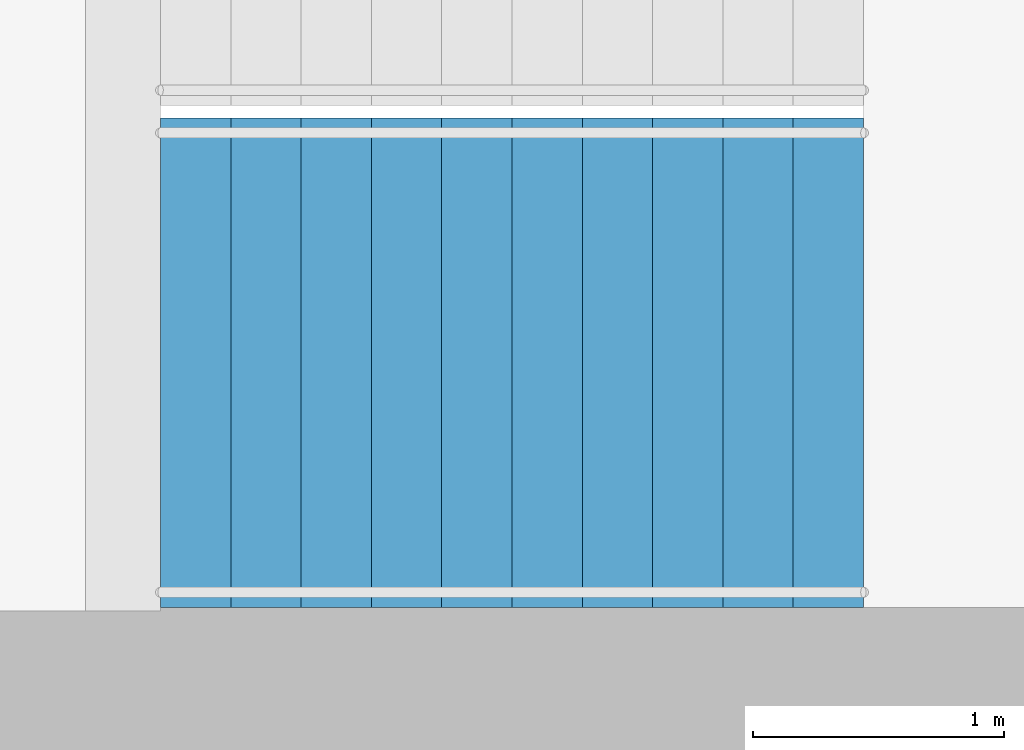
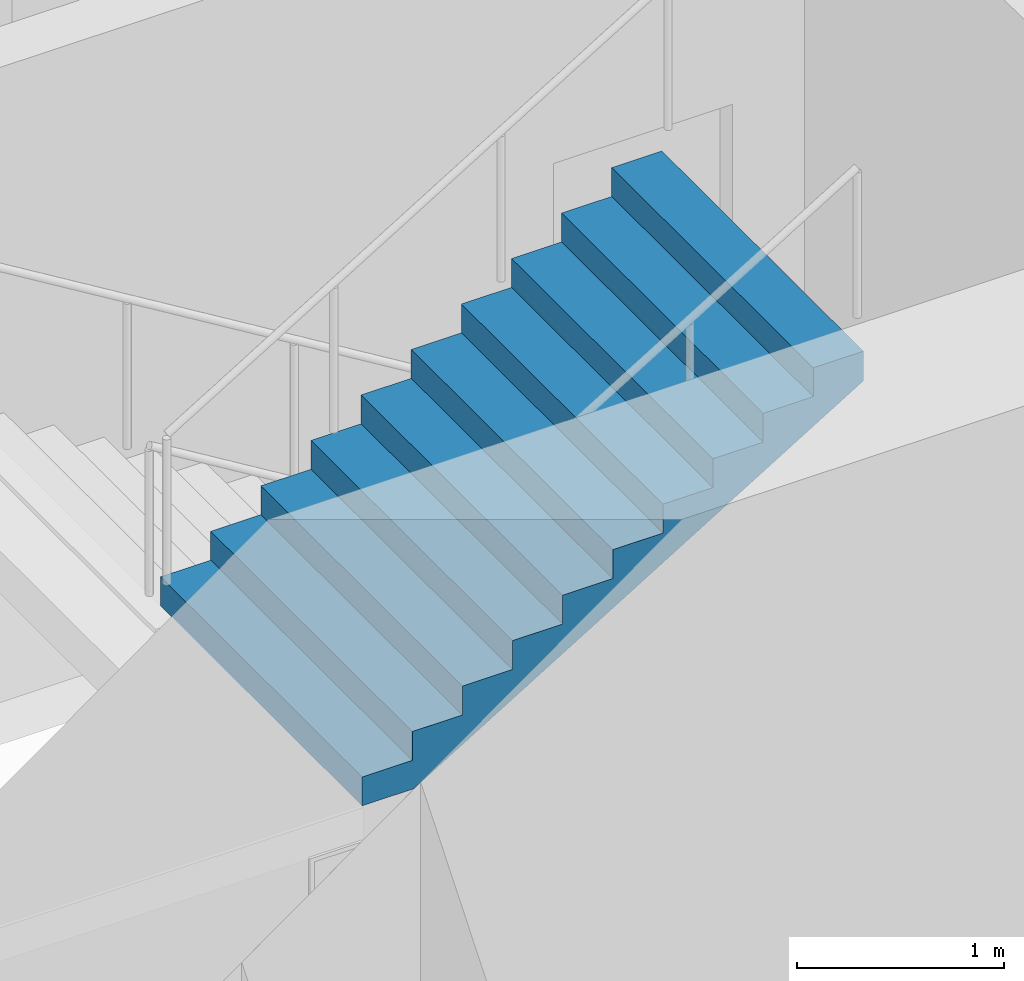
# One storey, part 21 of 23: 1 stair flight, 1 element without a shape of its own.
"""IFC4 building model written with IfcOpenShell, lengths in metres."""

from ifc_helpers import new_model, si_unit, direction, frame, origin, place, context, subcontext, project, spatial, triangles, material, type_object, element, aggregate, save


model = new_model("IFC4")

# Units and contexts
model_context = context("Model", 3, precision=1e-05, world=origin(), true_north=direction((0.0, 1.0)))
body_context = subcontext(model_context, "Body", "Model", "MODEL_VIEW")
ifc_project = project(units=[si_unit("LENGTHUNIT", "METRE"), si_unit("AREAUNIT", "SQUARE_METRE"), si_unit("VOLUMEUNIT", "CUBIC_METRE"), si_unit("PLANEANGLEUNIT", "RADIAN"), si_unit("MASSUNIT", "GRAM", prefix="KILO")], contexts=[model_context])

# Site, building, storey
site_placement = place(None, origin())
site = spatial("IfcSite", under=ifc_project, at=site_placement, CompositionType="ELEMENT")
building_placement = place(site_placement, origin())
building = spatial("IfcBuilding", under=site, at=building_placement, Name="Orbita Commons", CompositionType="ELEMENT")
storey_placement = place(building_placement, frame((0.0, 0.0, 61.449951171875)))
storey = spatial("IfcBuildingStorey", under=building, at=storey_placement, Name="L15", CompositionType="ELEMENT", Elevation=61.449951171875)

# Stair, stair flight
ifc_material_1 = material(Name="Precast concrete C40/50", Category="concrete")
stair_type = type_object("IfcStairType", Name="Exit stair S2 2 flights 11 risers 170", PredefinedType="HALF_TURN_STAIR", material=ifc_material_1)
stair_placement = place(storey_placement, origin())
stair = element("IfcStair", 1, at=stair_placement, inside=storey, type_object=stair_type, Name="Exit stair S2 L15", PredefinedType="HALF_TURN_STAIR")
ifc_material_2 = material(Name="Precast concrete C40/50", Category="concrete")
stair_flight_type = type_object("IfcStairFlightType", Name="Stair flight 11 risers 170 x 280", PredefinedType="STRAIGHT", material=ifc_material_2)
stair_flight_placement = place(storey_placement, frame((60.75, 27.27490234375, 1.875), z_axis=(0.0, 0.0, 1.0), x_axis=(1.0, 0.0, 0.0)))
stair_flight = element("IfcStairFlight", 2, at=stair_flight_placement, type_object=stair_flight_type, Name="S2 flight 2", NumberOfRisers=11, NumberOfTreads=10, PredefinedType="STRAIGHT", RiserHeight=0.170454545, TreadLength=0.28, context=body_context, shape_type="Tessellation", body=[
    triangles([(0.0, 0.974976, 0.0), (0.0, 0.974976, 0.021307), (0.0, 0.81248, 0.021307), (0.0, 0.81248, 0.0), (0.0, 0.649984, 0.021307), (0.0, 0.649984, 0.0), (0.0, 0.487488, 0.021307), (0.0, 0.487488, 0.0), (0.0, 0.324992, 0.021307), (0.0, 0.324992, 0.0), (0.0, 0.162496, 0.021307), (0.0, 0.162496, 0.0), (0.0, 0.0, 0.021307), (0.0, 0.0, 0.0), (0.0, -0.162496, 0.021307), (0.0, -0.162496, 0.0), (0.0, -0.324992, 0.021307), (0.0, -0.324992, 0.0), (0.0, -0.487488, 0.021307), (0.0, -0.487488, 0.0), (0.0, -0.649984, 0.021307), (0.0, -0.649984, 0.0), (0.0, -0.81248, 0.021307), (0.0, -0.81248, 0.0), (0.0, -0.974976, 0.021307), (0.0, -0.974976, 0.0), (0.0, 0.974976, 0.042614), (0.0, 0.81248, 0.042614), (0.0, 0.649984, 0.042614), (0.0, 0.487488, 0.042614), (0.0, 0.324992, 0.042614), (0.0, 0.162496, 0.042614), (0.0, 0.0, 0.042614), (0.0, -0.162496, 0.042614), (0.0, -0.324992, 0.042614), (0.0, -0.487488, 0.042614), (0.0, -0.649984, 0.042614), (0.0, -0.81248, 0.042614), (0.0, -0.974976, 0.042614), (0.0, 0.974976, 0.06392), (0.0, 0.81248, 0.06392), (0.0, 0.649984, 0.06392), (0.0, 0.487488, 0.06392), (0.0, 0.324992, 0.06392), (0.0, 0.162496, 0.06392), (0.0, 0.0, 0.06392), (0.0, -0.162496, 0.06392), (0.0, -0.324992, 0.06392), (0.0, -0.487488, 0.06392), (0.0, -0.649984, 0.06392), (0.0, -0.81248, 0.06392), (0.0, -0.974976, 0.06392), (0.0, 0.974976, 0.085227), (0.0, 0.81248, 0.085227), (0.0, 0.649984, 0.085227), (0.0, 0.487488, 0.085227), (0.0, 0.324992, 0.085227), (0.0, 0.162496, 0.085227), (0.0, 0.0, 0.085227), (0.0, -0.162496, 0.085227), (0.0, -0.324992, 0.085227), (0.0, -0.487488, 0.085227), (0.0, -0.649984, 0.085227), (0.0, -0.81248, 0.085227), (0.0, -0.974976, 0.085227), (0.0, 0.974976, 0.106534), (0.0, 0.81248, 0.106534), (0.0, 0.649984, 0.106534), (0.0, 0.487488, 0.106534), (0.0, 0.324992, 0.106534), (0.0, 0.162496, 0.106534), (0.0, 0.0, 0.106534), (0.0, -0.162496, 0.106534), (0.0, -0.324992, 0.106534), (0.0, -0.487488, 0.106534), (0.0, -0.649984, 0.106534), (0.0, -0.81248, 0.106534), (0.0, -0.974976, 0.106534), (0.0, 0.974976, 0.127841), (0.0, 0.81248, 0.127841), (0.0, 0.649984, 0.127841), (0.0, 0.487488, 0.127841), (0.0, 0.324992, 0.127841), (0.0, 0.162496, 0.127841), (0.0, 0.0, 0.127841), (0.0, -0.162496, 0.127841), (0.0, -0.324992, 0.127841), (0.0, -0.487488, 0.127841), (0.0, -0.649984, 0.127841), (0.0, -0.81248, 0.127841), (0.0, -0.974976, 0.127841), (0.0, 0.974976, 0.149148), (0.0, 0.81248, 0.149148), (0.0, 0.649984, 0.149148), (0.0, 0.487488, 0.149148), (0.0, 0.324992, 0.149148), (0.0, 0.162496, 0.149148), (0.0, 0.0, 0.149148), (0.0, -0.162496, 0.149148), (0.0, -0.324992, 0.149148), (0.0, -0.487488, 0.149148), (0.0, -0.649984, 0.149148), (0.0, -0.81248, 0.149148), (0.0, -0.974976, 0.149148), (0.0, 0.974976, 0.170455), (0.0, 0.81248, 0.170455), (0.0, 0.649984, 0.170455), (0.0, 0.487488, 0.170455), (0.0, 0.324992, 0.170455), (0.0, 0.162496, 0.170455), (0.0, 0.0, 0.170455), (0.0, -0.162496, 0.170455), (0.0, -0.324992, 0.170455), (0.0, -0.487488, 0.170455), (0.0, -0.649984, 0.170455), (0.0, -0.81248, 0.170455), (0.0, -0.974976, 0.170455), (0.28, 0.974976, 0.170455), (0.28, 0.81248, 0.170455), (0.28, 0.649984, 0.170455), (0.28, 0.487488, 0.170455), (0.28, 0.324992, 0.170455), (0.28, 0.162496, 0.170455), (0.28, 0.0, 0.170455), (0.28, -0.162496, 0.170455), (0.28, -0.324992, 0.170455), (0.28, -0.487488, 0.170455), (0.28, -0.649984, 0.170455), (0.28, -0.81248, 0.170455), (0.28, -0.974976, 0.170455), (0.28, 0.974976, 0.340909), (0.28, 0.81248, 0.340909), (0.28, 0.649984, 0.340909), (0.28, 0.487488, 0.340909), (0.28, 0.324992, 0.340909), (0.28, 0.162496, 0.340909), (0.28, 0.0, 0.340909), (0.28, -0.162496, 0.340909), (0.28, -0.324992, 0.340909), (0.28, -0.487488, 0.340909), (0.28, -0.649984, 0.340909), (0.28, -0.81248, 0.340909), (0.28, -0.974976, 0.340909), (0.56, 0.974976, 0.340909), (0.56, 0.81248, 0.340909), (0.56, 0.649984, 0.340909), (0.56, 0.487488, 0.340909), (0.56, 0.324992, 0.340909), (0.56, 0.162496, 0.340909), (0.56, 0.0, 0.340909), (0.56, -0.162496, 0.340909), (0.56, -0.324992, 0.340909), (0.56, -0.487488, 0.340909), (0.56, -0.649984, 0.340909), (0.56, -0.81248, 0.340909), (0.56, -0.974976, 0.340909), (0.56, 0.974976, 0.511364), (0.56, 0.81248, 0.511364), (0.56, 0.649984, 0.511364), (0.56, 0.487488, 0.511364), (0.56, 0.324992, 0.511364), (0.56, 0.162496, 0.511364), (0.56, 0.0, 0.511364), (0.56, -0.162496, 0.511364), (0.56, -0.324992, 0.511364), (0.56, -0.487488, 0.511364), (0.56, -0.649984, 0.511364), (0.56, -0.81248, 0.511364), (0.56, -0.974976, 0.511364), (0.84, 0.974976, 0.511364), (0.84, 0.81248, 0.511364), (0.84, 0.649984, 0.511364), (0.84, 0.487488, 0.511364), (0.84, 0.324992, 0.511364), (0.84, 0.162496, 0.511364), (0.84, 0.0, 0.511364), (0.84, -0.162496, 0.511364), (0.84, -0.324992, 0.511364), (0.84, -0.487488, 0.511364), (0.84, -0.649984, 0.511364), (0.84, -0.81248, 0.511364), (0.84, -0.974976, 0.511364), (0.84, 0.974976, 0.681818), (0.84, 0.81248, 0.681818), (0.84, 0.649984, 0.681818), (0.84, 0.487488, 0.681818), (0.84, 0.324992, 0.681818), (0.84, 0.162496, 0.681818), (0.84, 0.0, 0.681818), (0.84, -0.162496, 0.681818), (0.84, -0.324992, 0.681818), (0.84, -0.487488, 0.681818), (0.84, -0.649984, 0.681818), (0.84, -0.81248, 0.681818), (0.84, -0.974976, 0.681818), (1.12, 0.974976, 0.681818), (1.12, 0.81248, 0.681818), (1.12, 0.649984, 0.681818), (1.12, 0.487488, 0.681818), (1.12, 0.324992, 0.681818), (1.12, 0.162496, 0.681818), (1.12, 0.0, 0.681818), (1.12, -0.162496, 0.681818), (1.12, -0.324992, 0.681818), (1.12, -0.487488, 0.681818), (1.12, -0.649984, 0.681818), (1.12, -0.81248, 0.681818), (1.12, -0.974976, 0.681818), (1.12, 0.974976, 0.852273), (1.12, 0.81248, 0.852273), (1.12, 0.649984, 0.852273), (1.12, 0.487488, 0.852273), (1.12, 0.324992, 0.852273), (1.12, 0.162496, 0.852273), (1.12, 0.0, 0.852273), (1.12, -0.162496, 0.852273), (1.12, -0.324992, 0.852273), (1.12, -0.487488, 0.852273), (1.12, -0.649984, 0.852273), (1.12, -0.81248, 0.852273), (1.12, -0.974976, 0.852273), (1.4, 0.974976, 0.852273), (1.4, 0.81248, 0.852273), (1.4, 0.649984, 0.852273), (1.4, 0.487488, 0.852273), (1.4, 0.324992, 0.852273), (1.4, 0.162496, 0.852273), (1.4, 0.0, 0.852273), (1.4, -0.162496, 0.852273), (1.4, -0.324992, 0.852273), (1.4, -0.487488, 0.852273), (1.4, -0.649984, 0.852273), (1.4, -0.81248, 0.852273), (1.4, -0.974976, 0.852273), (1.4, 0.974976, 1.022727), (1.4, 0.81248, 1.022727), (1.4, 0.649984, 1.022727), (1.4, 0.487488, 1.022727), (1.4, 0.324992, 1.022727), (1.4, 0.162496, 1.022727), (1.4, 0.0, 1.022727), (1.4, -0.162496, 1.022727), (1.4, -0.324992, 1.022727), (1.4, -0.487488, 1.022727), (1.4, -0.649984, 1.022727), (1.4, -0.81248, 1.022727), (1.4, -0.974976, 1.022727), (1.68, 0.974976, 1.022727), (1.68, 0.81248, 1.022727), (1.68, 0.649984, 1.022727), (1.68, 0.487488, 1.022727), (1.68, 0.324992, 1.022727), (1.68, 0.162496, 1.022727), (1.68, 0.0, 1.022727), (1.68, -0.162496, 1.022727), (1.68, -0.324992, 1.022727), (1.68, -0.487488, 1.022727), (1.68, -0.649984, 1.022727), (1.68, -0.81248, 1.022727), (1.68, -0.974976, 1.022727), (1.68, 0.974976, 1.193182), (1.68, 0.81248, 1.193182), (1.68, 0.649984, 1.193182), (1.68, 0.487488, 1.193182), (1.68, 0.324992, 1.193182), (1.68, 0.162496, 1.193182), (1.68, 0.0, 1.193182), (1.68, -0.162496, 1.193182), (1.68, -0.324992, 1.193182), (1.68, -0.487488, 1.193182), (1.68, -0.649984, 1.193182), (1.68, -0.81248, 1.193182), (1.68, -0.974976, 1.193182), (1.96, 0.974976, 1.193182), (1.96, 0.81248, 1.193182), (1.96, 0.649984, 1.193182), (1.96, 0.487488, 1.193182), (1.96, 0.324992, 1.193182), (1.96, 0.162496, 1.193182), (1.96, 0.0, 1.193182), (1.96, -0.162496, 1.193182), (1.96, -0.324992, 1.193182), (1.96, -0.487488, 1.193182), (1.96, -0.649984, 1.193182), (1.96, -0.81248, 1.193182), (1.96, -0.974976, 1.193182), (1.96, 0.974976, 1.363636), (1.96, 0.81248, 1.363636), (1.96, 0.649984, 1.363636), (1.96, 0.487488, 1.363636), (1.96, 0.324992, 1.363636), (1.96, 0.162496, 1.363636), (1.96, 0.0, 1.363636), (1.96, -0.162496, 1.363636), (1.96, -0.324992, 1.363636), (1.96, -0.487488, 1.363636), (1.96, -0.649984, 1.363636), (1.96, -0.81248, 1.363636), (1.96, -0.974976, 1.363636), (2.24, 0.974976, 1.363636), (2.24, 0.81248, 1.363636), (2.24, 0.649984, 1.363636), (2.24, 0.487488, 1.363636), (2.24, 0.324992, 1.363636), (2.24, 0.162496, 1.363636), (2.24, 0.0, 1.363636), (2.24, -0.162496, 1.363636), (2.24, -0.324992, 1.363636), (2.24, -0.487488, 1.363636), (2.24, -0.649984, 1.363636), (2.24, -0.81248, 1.363636), (2.24, -0.974976, 1.363636), (2.24, 0.974976, 1.534091), (2.24, 0.81248, 1.534091), (2.24, 0.649984, 1.534091), (2.24, 0.487488, 1.534091), (2.24, 0.324992, 1.534091), (2.24, 0.162496, 1.534091), (2.24, 0.0, 1.534091), (2.24, -0.162496, 1.534091), (2.24, -0.324992, 1.534091), (2.24, -0.487488, 1.534091), (2.24, -0.649984, 1.534091), (2.24, -0.81248, 1.534091), (2.24, -0.974976, 1.534091), (2.52, 0.974976, 1.534091), (2.52, 0.81248, 1.534091), (2.52, 0.649984, 1.534091), (2.52, 0.487488, 1.534091), (2.52, 0.324992, 1.534091), (2.52, 0.162496, 1.534091), (2.52, 0.0, 1.534091), (2.52, -0.162496, 1.534091), (2.52, -0.324992, 1.534091), (2.52, -0.487488, 1.534091), (2.52, -0.649984, 1.534091), (2.52, -0.81248, 1.534091), (2.52, -0.974976, 1.534091), (2.52, 0.974976, 1.704545), (2.52, 0.81248, 1.704545), (2.52, 0.649984, 1.704545), (2.52, 0.487488, 1.704545), (2.52, 0.324992, 1.704545), (2.52, 0.162496, 1.704545), (2.52, 0.0, 1.704545), (2.52, -0.162496, 1.704545), (2.52, -0.324992, 1.704545), (2.52, -0.487488, 1.704545), (2.52, -0.649984, 1.704545), (2.52, -0.81248, 1.704545), (2.52, -0.974976, 1.704545), (2.8, 0.974976, 1.704545), (2.8, 0.81248, 1.704545), (2.8, 0.649984, 1.704545), (2.8, 0.487488, 1.704545), (2.8, 0.324992, 1.704545), (2.8, 0.162496, 1.704545), (2.8, 0.0, 1.704545), (2.8, -0.162496, 1.704545), (2.8, -0.324992, 1.704545), (2.8, -0.487488, 1.704545), (2.8, -0.649984, 1.704545), (2.8, -0.81248, 1.704545), (2.8, -0.974976, 1.704545), (2.8, 0.974976, 1.682609), (2.8, 0.81248, 1.682609), (2.8, 0.649984, 1.682609), (2.8, 0.487488, 1.682609), (2.8, 0.324992, 1.682609), (2.8, 0.162496, 1.682609), (2.8, 0.0, 1.682609), (2.8, -0.162496, 1.682609), (2.8, -0.324992, 1.682609), (2.8, -0.487488, 1.682609), (2.8, -0.649984, 1.682609), (2.8, -0.81248, 1.682609), (2.8, -0.974976, 1.682609), (2.8, 0.974976, 1.660672), (2.8, 0.81248, 1.660672), (2.8, 0.649984, 1.660672), (2.8, 0.487488, 1.660672), (2.8, 0.324992, 1.660672), (2.8, 0.162496, 1.660672), (2.8, 0.0, 1.660672), (2.8, -0.162496, 1.660672), (2.8, -0.324992, 1.660672), (2.8, -0.487488, 1.660672), (2.8, -0.649984, 1.660672), (2.8, -0.81248, 1.660672), (2.8, -0.974976, 1.660672), (2.8, 0.974976, 1.638735), (2.8, 0.81248, 1.638735), (2.8, 0.649984, 1.638735), (2.8, 0.487488, 1.638735), (2.8, 0.324992, 1.638735), (2.8, 0.162496, 1.638735), (2.8, 0.0, 1.638735), (2.8, -0.162496, 1.638735), (2.8, -0.324992, 1.638735), (2.8, -0.487488, 1.638735), (2.8, -0.649984, 1.638735), (2.8, -0.81248, 1.638735), (2.8, -0.974976, 1.638735), (2.8, 0.974976, 1.616798), (2.8, 0.81248, 1.616798), (2.8, 0.649984, 1.616798), (2.8, 0.487488, 1.616798), (2.8, 0.324992, 1.616798), (2.8, 0.162496, 1.616798), (2.8, 0.0, 1.616798), (2.8, -0.162496, 1.616798), (2.8, -0.324992, 1.616798), (2.8, -0.487488, 1.616798), (2.8, -0.649984, 1.616798), (2.8, -0.81248, 1.616798), (2.8, -0.974976, 1.616798), (2.8, 0.974976, 1.594861), (2.8, 0.81248, 1.594861), (2.8, 0.649984, 1.594861), (2.8, 0.487488, 1.594861), (2.8, 0.324992, 1.594861), (2.8, 0.162496, 1.594861), (2.8, 0.0, 1.594861), (2.8, -0.162496, 1.594861), (2.8, -0.324992, 1.594861), (2.8, -0.487488, 1.594861), (2.8, -0.649984, 1.594861), (2.8, -0.81248, 1.594861), (2.8, -0.974976, 1.594861), (2.8, 0.974976, 1.572925), (2.8, 0.81248, 1.572925), (2.8, 0.649984, 1.572925), (2.8, 0.487488, 1.572925), (2.8, 0.324992, 1.572925), (2.8, 0.162496, 1.572925), (2.8, 0.0, 1.572925), (2.8, -0.162496, 1.572925), (2.8, -0.324992, 1.572925), (2.8, -0.487488, 1.572925), (2.8, -0.649984, 1.572925), (2.8, -0.81248, 1.572925), (2.8, -0.974976, 1.572925), (2.8, 0.974976, 1.550988), (2.8, 0.81248, 1.550988), (2.8, 0.649984, 1.550988), (2.8, 0.487488, 1.550988), (2.8, 0.324992, 1.550988), (2.8, 0.162496, 1.550988), (2.8, 0.0, 1.550988), (2.8, -0.162496, 1.550988), (2.8, -0.324992, 1.550988), (2.8, -0.487488, 1.550988), (2.8, -0.649984, 1.550988), (2.8, -0.81248, 1.550988), (2.8, -0.974976, 1.550988), (2.8, 0.974976, 1.529051), (2.8, 0.81248, 1.529051), (2.8, 0.649984, 1.529051), (2.8, 0.487488, 1.529051), (2.8, 0.324992, 1.529051), (2.8, 0.162496, 1.529051), (2.8, 0.0, 1.529051), (2.8, -0.162496, 1.529051), (2.8, -0.324992, 1.529051), (2.8, -0.487488, 1.529051), (2.8, -0.649984, 1.529051), (2.8, -0.81248, 1.529051), (2.8, -0.974976, 1.529051), (0.288279, 0.974976, 0.0), (0.288279, 0.81248, 0.0), (0.288279, 0.649984, 0.0), (0.288279, 0.487488, 0.0), (0.288279, 0.324992, 0.0), (0.288279, 0.162496, 0.0), (0.288279, 0.0, 0.0), (0.288279, -0.162496, 0.0), (0.288279, -0.324992, 0.0), (0.288279, -0.487488, 0.0), (0.288279, -0.649984, 0.0), (0.288279, -0.81248, 0.0), (0.288279, -0.974976, 0.0)], [[3, 2, 1], [4, 3, 1], [5, 3, 4], [6, 5, 4], [7, 5, 6], [8, 7, 6], [9, 7, 8], [10, 9, 8], [11, 9, 10], [12, 11, 10], [13, 11, 12], [14, 13, 12], [15, 13, 14], [16, 15, 14], [17, 15, 16], [18, 17, 16], [19, 17, 18], [20, 19, 18], [21, 19, 20], [22, 21, 20], [23, 21, 22], [24, 23, 22], [25, 23, 24], [26, 25, 24], [28, 27, 2], [3, 28, 2], [29, 28, 3], [5, 29, 3], [30, 29, 5], [7, 30, 5], [31, 30, 7], [9, 31, 7], [32, 31, 9], [11, 32, 9], [33, 32, 11], [13, 33, 11], [34, 33, 13], [15, 34, 13], [35, 34, 15], [17, 35, 15], [36, 35, 17], [19, 36, 17], [37, 36, 19], [21, 37, 19], [38, 37, 21], [23, 38, 21], [39, 38, 23], [25, 39, 23], [41, 40, 27], [28, 41, 27], [42, 41, 28], [29, 42, 28], [43, 42, 29], [30, 43, 29], [44, 43, 30], [31, 44, 30], [45, 44, 31], [32, 45, 31], [46, 45, 32], [33, 46, 32], [47, 46, 33], [34, 47, 33], [48, 47, 34], [35, 48, 34], [49, 48, 35], [36, 49, 35], [50, 49, 36], [37, 50, 36], [51, 50, 37], [38, 51, 37], [52, 51, 38], [39, 52, 38], [54, 53, 40], [41, 54, 40], [55, 54, 41], [42, 55, 41], [56, 55, 42], [43, 56, 42], [57, 56, 43], [44, 57, 43], [58, 57, 44], [45, 58, 44], [59, 58, 45], [46, 59, 45], [60, 59, 46], [47, 60, 46], [61, 60, 47], [48, 61, 47], [62, 61, 48], [49, 62, 48], [63, 62, 49], [50, 63, 49], [64, 63, 50], [51, 64, 50], [65, 64, 51], [52, 65, 51], [67, 66, 53], [54, 67, 53], [68, 67, 54], [55, 68, 54], [69, 68, 55], [56, 69, 55], [70, 69, 56], [57, 70, 56], [71, 70, 57], [58, 71, 57], [72, 71, 58], [59, 72, 58], [73, 72, 59], [60, 73, 59], [74, 73, 60], [61, 74, 60], [75, 74, 61], [62, 75, 61], [76, 75, 62], [63, 76, 62], [77, 76, 63], [64, 77, 63], [78, 77, 64], [65, 78, 64], [80, 79, 66], [67, 80, 66], [81, 80, 67], [68, 81, 67], [82, 81, 68], [69, 82, 68], [83, 82, 69], [70, 83, 69], [84, 83, 70], [71, 84, 70], [85, 84, 71], [72, 85, 71], [86, 85, 72], [73, 86, 72], [87, 86, 73], [74, 87, 73], [88, 87, 74], [75, 88, 74], [89, 88, 75], [76, 89, 75], [90, 89, 76], [77, 90, 76], [91, 90, 77], [78, 91, 77], [93, 92, 79], [80, 93, 79], [94, 93, 80], [81, 94, 80], [95, 94, 81], [82, 95, 81], [96, 95, 82], [83, 96, 82], [97, 96, 83], [84, 97, 83], [98, 97, 84], [85, 98, 84], [99, 98, 85], [86, 99, 85], [100, 99, 86], [87, 100, 86], [101, 100, 87], [88, 101, 87], [102, 101, 88], [89, 102, 88], [103, 102, 89], [90, 103, 89], [104, 103, 90], [91, 104, 90], [106, 105, 92], [93, 106, 92], [107, 106, 93], [94, 107, 93], [108, 107, 94], [95, 108, 94], [109, 108, 95], [96, 109, 95], [110, 109, 96], [97, 110, 96], [111, 110, 97], [98, 111, 97], [112, 111, 98], [99, 112, 98], [113, 112, 99], [100, 113, 99], [114, 113, 100], [101, 114, 100], [115, 114, 101], [102, 115, 101], [116, 115, 102], [103, 116, 102], [117, 116, 103], [104, 117, 103], [119, 118, 105], [106, 119, 105], [120, 119, 106], [107, 120, 106], [121, 120, 107], [108, 121, 107], [122, 121, 108], [109, 122, 108], [123, 122, 109], [110, 123, 109], [124, 123, 110], [111, 124, 110], [125, 124, 111], [112, 125, 111], [126, 125, 112], [113, 126, 112], [127, 126, 113], [114, 127, 113], [128, 127, 114], [115, 128, 114], [129, 128, 115], [116, 129, 115], [130, 129, 116], [117, 130, 116], [132, 131, 118], [119, 132, 118], [133, 132, 119], [120, 133, 119], [134, 133, 120], [121, 134, 120], [135, 134, 121], [122, 135, 121], [136, 135, 122], [123, 136, 122], [137, 136, 123], [124, 137, 123], [138, 137, 124], [125, 138, 124], [139, 138, 125], [126, 139, 125], [140, 139, 126], [127, 140, 126], [141, 140, 127], [128, 141, 127], [142, 141, 128], [129, 142, 128], [143, 142, 129], [130, 143, 129], [145, 144, 131], [132, 145, 131], [146, 145, 132], [133, 146, 132], [147, 146, 133], [134, 147, 133], [148, 147, 134], [135, 148, 134], [149, 148, 135], [136, 149, 135], [150, 149, 136], [137, 150, 136], [151, 150, 137], [138, 151, 137], [152, 151, 138], [139, 152, 138], [153, 152, 139], [140, 153, 139], [154, 153, 140], [141, 154, 140], [155, 154, 141], [142, 155, 141], [156, 155, 142], [143, 156, 142], [158, 157, 144], [145, 158, 144], [159, 158, 145], [146, 159, 145], [160, 159, 146], [147, 160, 146], [161, 160, 147], [148, 161, 147], [162, 161, 148], [149, 162, 148], [163, 162, 149], [150, 163, 149], [164, 163, 150], [151, 164, 150], [165, 164, 151], [152, 165, 151], [166, 165, 152], [153, 166, 152], [167, 166, 153], [154, 167, 153], [168, 167, 154], [155, 168, 154], [169, 168, 155], [156, 169, 155], [171, 170, 157], [158, 171, 157], [172, 171, 158], [159, 172, 158], [173, 172, 159], [160, 173, 159], [174, 173, 160], [161, 174, 160], [175, 174, 161], [162, 175, 161], [176, 175, 162], [163, 176, 162], [177, 176, 163], [164, 177, 163], [178, 177, 164], [165, 178, 164], [179, 178, 165], [166, 179, 165], [180, 179, 166], [167, 180, 166], [181, 180, 167], [168, 181, 167], [182, 181, 168], [169, 182, 168], [184, 183, 170], [171, 184, 170], [185, 184, 171], [172, 185, 171], [186, 185, 172], [173, 186, 172], [187, 186, 173], [174, 187, 173], [188, 187, 174], [175, 188, 174], [189, 188, 175], [176, 189, 175], [190, 189, 176], [177, 190, 176], [191, 190, 177], [178, 191, 177], [192, 191, 178], [179, 192, 178], [193, 192, 179], [180, 193, 179], [194, 193, 180], [181, 194, 180], [195, 194, 181], [182, 195, 181], [197, 196, 183], [184, 197, 183], [198, 197, 184], [185, 198, 184], [199, 198, 185], [186, 199, 185], [200, 199, 186], [187, 200, 186], [201, 200, 187], [188, 201, 187], [202, 201, 188], [189, 202, 188], [203, 202, 189], [190, 203, 189], [204, 203, 190], [191, 204, 190], [205, 204, 191], [192, 205, 191], [206, 205, 192], [193, 206, 192], [207, 206, 193], [194, 207, 193], [208, 207, 194], [195, 208, 194], [210, 209, 196], [197, 210, 196], [211, 210, 197], [198, 211, 197], [212, 211, 198], [199, 212, 198], [213, 212, 199], [200, 213, 199], [214, 213, 200], [201, 214, 200], [215, 214, 201], [202, 215, 201], [216, 215, 202], [203, 216, 202], [217, 216, 203], [204, 217, 203], [218, 217, 204], [205, 218, 204], [219, 218, 205], [206, 219, 205], [220, 219, 206], [207, 220, 206], [221, 220, 207], [208, 221, 207], [223, 222, 209], [210, 223, 209], [224, 223, 210], [211, 224, 210], [225, 224, 211], [212, 225, 211], [226, 225, 212], [213, 226, 212], [227, 226, 213], [214, 227, 213], [228, 227, 214], [215, 228, 214], [229, 228, 215], [216, 229, 215], [230, 229, 216], [217, 230, 216], [231, 230, 217], [218, 231, 217], [232, 231, 218], [219, 232, 218], [233, 232, 219], [220, 233, 219], [234, 233, 220], [221, 234, 220], [236, 235, 222], [223, 236, 222], [237, 236, 223], [224, 237, 223], [238, 237, 224], [225, 238, 224], [239, 238, 225], [226, 239, 225], [240, 239, 226], [227, 240, 226], [241, 240, 227], [228, 241, 227], [242, 241, 228], [229, 242, 228], [243, 242, 229], [230, 243, 229], [244, 243, 230], [231, 244, 230], [245, 244, 231], [232, 245, 231], [246, 245, 232], [233, 246, 232], [247, 246, 233], [234, 247, 233], [249, 248, 235], [236, 249, 235], [250, 249, 236], [237, 250, 236], [251, 250, 237], [238, 251, 237], [252, 251, 238], [239, 252, 238], [253, 252, 239], [240, 253, 239], [254, 253, 240], [241, 254, 240], [255, 254, 241], [242, 255, 241], [256, 255, 242], [243, 256, 242], [257, 256, 243], [244, 257, 243], [258, 257, 244], [245, 258, 244], [259, 258, 245], [246, 259, 245], [260, 259, 246], [247, 260, 246], [262, 261, 248], [249, 262, 248], [263, 262, 249], [250, 263, 249], [264, 263, 250], [251, 264, 250], [265, 264, 251], [252, 265, 251], [266, 265, 252], [253, 266, 252], [267, 266, 253], [254, 267, 253], [268, 267, 254], [255, 268, 254], [269, 268, 255], [256, 269, 255], [270, 269, 256], [257, 270, 256], [271, 270, 257], [258, 271, 257], [272, 271, 258], [259, 272, 258], [273, 272, 259], [260, 273, 259], [275, 274, 261], [262, 275, 261], [276, 275, 262], [263, 276, 262], [277, 276, 263], [264, 277, 263], [278, 277, 264], [265, 278, 264], [279, 278, 265], [266, 279, 265], [280, 279, 266], [267, 280, 266], [281, 280, 267], [268, 281, 267], [282, 281, 268], [269, 282, 268], [283, 282, 269], [270, 283, 269], [284, 283, 270], [271, 284, 270], [285, 284, 271], [272, 285, 271], [286, 285, 272], [273, 286, 272], [288, 287, 274], [275, 288, 274], [289, 288, 275], [276, 289, 275], [290, 289, 276], [277, 290, 276], [291, 290, 277], [278, 291, 277], [292, 291, 278], [279, 292, 278], [293, 292, 279], [280, 293, 279], [294, 293, 280], [281, 294, 280], [295, 294, 281], [282, 295, 281], [296, 295, 282], [283, 296, 282], [297, 296, 283], [284, 297, 283], [298, 297, 284], [285, 298, 284], [299, 298, 285], [286, 299, 285], [301, 300, 287], [288, 301, 287], [302, 301, 288], [289, 302, 288], [303, 302, 289], [290, 303, 289], [304, 303, 290], [291, 304, 290], [305, 304, 291], [292, 305, 291], [306, 305, 292], [293, 306, 292], [307, 306, 293], [294, 307, 293], [308, 307, 294], [295, 308, 294], [309, 308, 295], [296, 309, 295], [310, 309, 296], [297, 310, 296], [311, 310, 297], [298, 311, 297], [312, 311, 298], [299, 312, 298], [314, 313, 300], [301, 314, 300], [315, 314, 301], [302, 315, 301], [316, 315, 302], [303, 316, 302], [317, 316, 303], [304, 317, 303], [318, 317, 304], [305, 318, 304], [319, 318, 305], [306, 319, 305], [320, 319, 306], [307, 320, 306], [321, 320, 307], [308, 321, 307], [322, 321, 308], [309, 322, 308], [323, 322, 309], [310, 323, 309], [324, 323, 310], [311, 324, 310], [325, 324, 311], [312, 325, 311], [327, 326, 313], [314, 327, 313], [328, 327, 314], [315, 328, 314], [329, 328, 315], [316, 329, 315], [330, 329, 316], [317, 330, 316], [331, 330, 317], [318, 331, 317], [332, 331, 318], [319, 332, 318], [333, 332, 319], [320, 333, 319], [334, 333, 320], [321, 334, 320], [335, 334, 321], [322, 335, 321], [336, 335, 322], [323, 336, 322], [337, 336, 323], [324, 337, 323], [338, 337, 324], [325, 338, 324], [340, 339, 326], [327, 340, 326], [341, 340, 327], [328, 341, 327], [342, 341, 328], [329, 342, 328], [343, 342, 329], [330, 343, 329], [344, 343, 330], [331, 344, 330], [345, 344, 331], [332, 345, 331], [346, 345, 332], [333, 346, 332], [347, 346, 333], [334, 347, 333], [348, 347, 334], [335, 348, 334], [349, 348, 335], [336, 349, 335], [350, 349, 336], [337, 350, 336], [351, 350, 337], [338, 351, 337], [353, 352, 339], [340, 353, 339], [354, 353, 340], [341, 354, 340], [355, 354, 341], [342, 355, 341], [356, 355, 342], [343, 356, 342], [357, 356, 343], [344, 357, 343], [358, 357, 344], [345, 358, 344], [359, 358, 345], [346, 359, 345], [360, 359, 346], [347, 360, 346], [361, 360, 347], [348, 361, 347], [362, 361, 348], [349, 362, 348], [363, 362, 349], [350, 363, 349], [364, 363, 350], [351, 364, 350], [366, 365, 352], [353, 366, 352], [367, 366, 353], [354, 367, 353], [368, 367, 354], [355, 368, 354], [369, 368, 355], [356, 369, 355], [370, 369, 356], [357, 370, 356], [371, 370, 357], [358, 371, 357], [372, 371, 358], [359, 372, 358], [373, 372, 359], [360, 373, 359], [374, 373, 360], [361, 374, 360], [375, 374, 361], [362, 375, 361], [376, 375, 362], [363, 376, 362], [377, 376, 363], [364, 377, 363], [379, 378, 365], [366, 379, 365], [380, 379, 366], [367, 380, 366], [381, 380, 367], [368, 381, 367], [382, 381, 368], [369, 382, 368], [383, 382, 369], [370, 383, 369], [384, 383, 370], [371, 384, 370], [385, 384, 371], [372, 385, 371], [386, 385, 372], [373, 386, 372], [387, 386, 373], [374, 387, 373], [388, 387, 374], [375, 388, 374], [389, 388, 375], [376, 389, 375], [390, 389, 376], [377, 390, 376], [392, 391, 378], [379, 392, 378], [393, 392, 379], [380, 393, 379], [394, 393, 380], [381, 394, 380], [395, 394, 381], [382, 395, 381], [396, 395, 382], [383, 396, 382], [397, 396, 383], [384, 397, 383], [398, 397, 384], [385, 398, 384], [399, 398, 385], [386, 399, 385], [400, 399, 386], [387, 400, 386], [401, 400, 387], [388, 401, 387], [402, 401, 388], [389, 402, 388], [403, 402, 389], [390, 403, 389], [405, 404, 391], [392, 405, 391], [406, 405, 392], [393, 406, 392], [407, 406, 393], [394, 407, 393], [408, 407, 394], [395, 408, 394], [409, 408, 395], [396, 409, 395], [410, 409, 396], [397, 410, 396], [411, 410, 397], [398, 411, 397], [412, 411, 398], [399, 412, 398], [413, 412, 399], [400, 413, 399], [414, 413, 400], [401, 414, 400], [415, 414, 401], [402, 415, 401], [416, 415, 402], [403, 416, 402], [418, 417, 404], [405, 418, 404], [419, 418, 405], [406, 419, 405], [420, 419, 406], [407, 420, 406], [421, 420, 407], [408, 421, 407], [422, 421, 408], [409, 422, 408], [423, 422, 409], [410, 423, 409], [424, 423, 410], [411, 424, 410], [425, 424, 411], [412, 425, 411], [426, 425, 412], [413, 426, 412], [427, 426, 413], [414, 427, 413], [428, 427, 414], [415, 428, 414], [429, 428, 415], [416, 429, 415], [431, 430, 417], [418, 431, 417], [432, 431, 418], [419, 432, 418], [433, 432, 419], [420, 433, 419], [434, 433, 420], [421, 434, 420], [435, 434, 421], [422, 435, 421], [436, 435, 422], [423, 436, 422], [437, 436, 423], [424, 437, 423], [438, 437, 424], [425, 438, 424], [439, 438, 425], [426, 439, 425], [440, 439, 426], [427, 440, 426], [441, 440, 427], [428, 441, 427], [442, 441, 428], [429, 442, 428], [444, 443, 430], [431, 444, 430], [445, 444, 431], [432, 445, 431], [446, 445, 432], [433, 446, 432], [447, 446, 433], [434, 447, 433], [448, 447, 434], [435, 448, 434], [449, 448, 435], [436, 449, 435], [450, 449, 436], [437, 450, 436], [451, 450, 437], [438, 451, 437], [452, 451, 438], [439, 452, 438], [453, 452, 439], [440, 453, 439], [454, 453, 440], [441, 454, 440], [455, 454, 441], [442, 455, 441], [457, 456, 443], [444, 457, 443], [458, 457, 444], [445, 458, 444], [459, 458, 445], [446, 459, 445], [460, 459, 446], [447, 460, 446], [461, 460, 447], [448, 461, 447], [462, 461, 448], [449, 462, 448], [463, 462, 449], [450, 463, 449], [464, 463, 450], [451, 464, 450], [465, 464, 451], [452, 465, 451], [466, 465, 452], [453, 466, 452], [467, 466, 453], [454, 467, 453], [468, 467, 454], [455, 468, 454], [470, 469, 456], [457, 470, 456], [471, 470, 457], [458, 471, 457], [472, 471, 458], [459, 472, 458], [473, 472, 459], [460, 473, 459], [474, 473, 460], [461, 474, 460], [475, 474, 461], [462, 475, 461], [476, 475, 462], [463, 476, 462], [477, 476, 463], [464, 477, 463], [478, 477, 464], [465, 478, 464], [479, 478, 465], [466, 479, 465], [480, 479, 466], [467, 480, 466], [481, 480, 467], [468, 481, 467], [4, 1, 469], [470, 4, 469], [6, 4, 470], [471, 6, 470], [8, 6, 471], [472, 8, 471], [10, 8, 472], [473, 10, 472], [12, 10, 473], [474, 12, 473], [14, 12, 474], [475, 14, 474], [16, 14, 475], [476, 16, 475], [18, 16, 476], [477, 18, 476], [20, 18, 477], [478, 20, 477], [22, 20, 478], [479, 22, 478], [24, 22, 479], [480, 24, 479], [26, 24, 480], [481, 26, 480], [456, 469, 1], [26, 481, 468], [443, 456, 1], [26, 468, 455], [430, 443, 1], [26, 455, 442], [417, 430, 1], [26, 442, 429], [404, 417, 1], [26, 429, 416], [391, 404, 1], [26, 416, 403], [378, 391, 1], [26, 403, 390], [365, 378, 1], [26, 390, 377], [339, 352, 365], [377, 364, 351], [326, 339, 365], [377, 351, 338], [300, 313, 326], [338, 325, 312], [300, 326, 365], [377, 338, 312], [274, 287, 300], [312, 299, 286], [274, 300, 365], [377, 312, 286], [248, 261, 274], [286, 273, 260], [248, 274, 365], [377, 286, 260], [222, 235, 248], [260, 247, 234], [222, 248, 365], [377, 260, 234], [196, 209, 222], [234, 221, 208], [196, 222, 365], [377, 234, 208], [170, 183, 196], [208, 195, 182], [170, 196, 365], [377, 208, 182], [144, 157, 170], [182, 169, 156], [144, 170, 365], [377, 182, 156], [118, 131, 144], [156, 143, 130], [118, 144, 365], [377, 156, 130], [118, 365, 1], [26, 377, 130], [92, 105, 118], [130, 117, 104], [79, 92, 118], [130, 104, 91], [66, 79, 118], [130, 91, 78], [53, 66, 118], [130, 78, 65], [40, 53, 118], [130, 65, 52], [27, 40, 118], [130, 52, 39], [2, 27, 118], [130, 39, 25], [1, 2, 118], [130, 25, 26]], closed=True),
])
aggregate(stair, [stair_flight])

save(model, "model.ifc")
